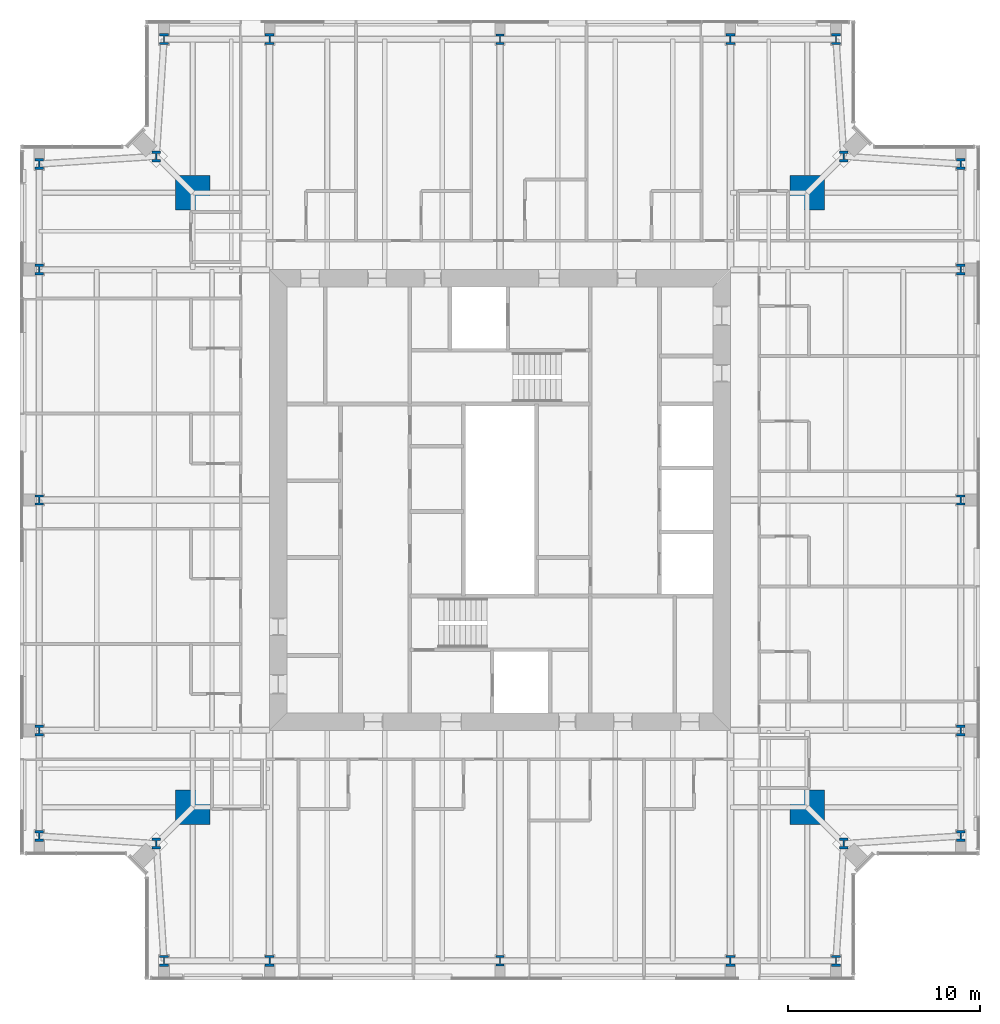
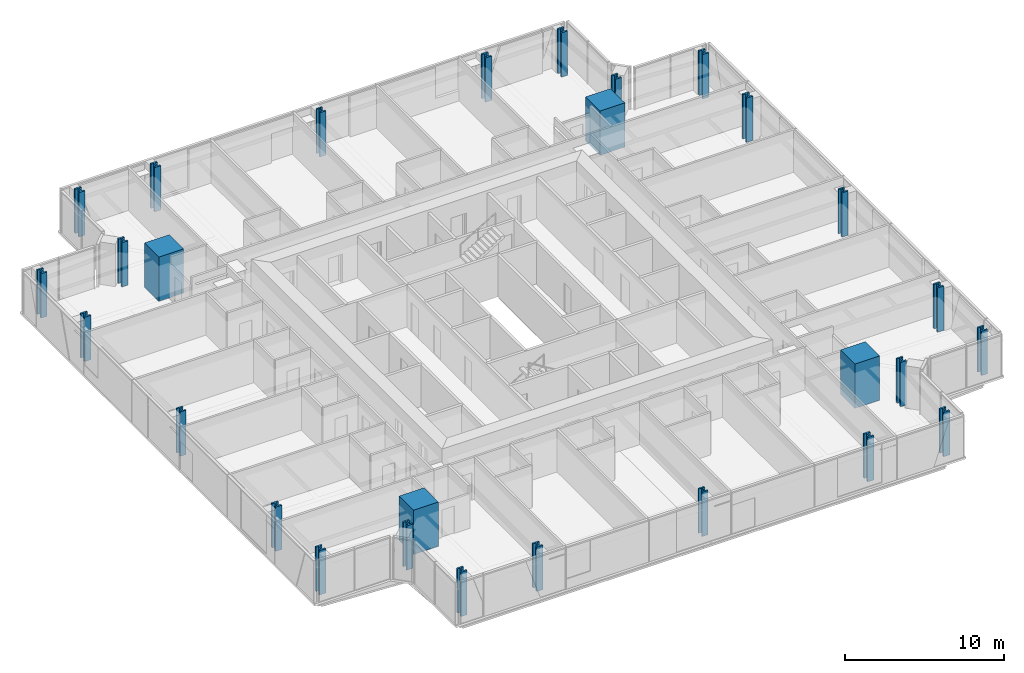
# One storey, part 1 of 20: 28 columns.
"""IFC4 building model written with IfcOpenShell, lengths in metres."""

from ifc_helpers import new_model, si_unit, direction, frame, origin, origin_2d, place, context, subcontext, project, spatial, rectangle, i_section, extrude, material, material_profile, profile_set, type_object, element, save


model = new_model("IFC4")

# Units and contexts
model_context = context("Model", 3, precision=1e-05, world=origin(), true_north=direction((0.0, 1.0)))
body_context = subcontext(model_context, "Body", "Model", "MODEL_VIEW")
ifc_project = project(units=[si_unit("LENGTHUNIT", "METRE"), si_unit("AREAUNIT", "SQUARE_METRE"), si_unit("VOLUMEUNIT", "CUBIC_METRE"), si_unit("PLANEANGLEUNIT", "RADIAN"), si_unit("MASSUNIT", "GRAM", prefix="KILO")], contexts=[model_context])

# Site, building, storey
site_placement = place(None, origin())
site = spatial("IfcSite", under=ifc_project, at=site_placement, CompositionType="ELEMENT")
building_placement = place(site_placement, origin())
building = spatial("IfcBuilding", under=site, at=building_placement, Name="Fenwick Lantern Interchange", CompositionType="ELEMENT")
storey_placement = place(building_placement, frame((0.0, 0.0, 245.800048828125)))
storey = spatial("IfcBuildingStorey", under=building, at=storey_placement, Name="L57", CompositionType="ELEMENT", Elevation=245.800048828125)

# Columns
ifc_material_1 = material(Name="Concrete f'c 70 MPa", Category="concrete")
ifc_material_profile_1 = material_profile(ifc_material_1, rectangle(XDim=1.800048828125, YDim=1.800048828125, at=origin_2d()), Name="RC1800X1800")
ifc_profile_set_1 = profile_set([ifc_material_profile_1], Name="Concrete f'c 70 MPa")
column_type_1 = type_object("IfcColumnType", Name="MEGA COLUMN RC1800X1800", PredefinedType="COLUMN", material=ifc_profile_set_1)
for number, where, z_axis, x_axis, name in (
    (1, (9.0, 9.0, 0.0), (0.0, 0.0, 1.0), (1.0, 0.0, 0.0), "L57/M1"),
    (2, (41.0, 9.0, 0.0), (0.0, 0.0, 1.0), (1.0, 0.0, 0.0), "L57/M2"),
    (3, (41.0, 41.0, 0.0), (0.0, 0.0, 1.0), (1.0, 0.0, 0.0), "L57/M3"),
    (4, (9.0, 41.0, 0.0), (0.0, 0.0, 1.0), (1.0, 0.0, 0.0), "L57/M4"),
):
    element("IfcColumn", number, at=place(storey_placement, frame(where, z_axis=z_axis, x_axis=x_axis)), inside=storey, type_object=column_type_1, Name=name, PredefinedType="COLUMN", context=body_context, shape_type="SweptSolid", body=[
        extrude(rectangle(XDim=1.800048828125, YDim=1.800048828125, at=origin_2d()), origin(), (0.0, 0.0, 1.0), 3.39990234375),
    ])
ifc_material_2 = material(Name="Steel ASTM A992 Grade 50", Category="steel")
ifc_material_profile_2 = material_profile(ifc_material_2, i_section(OverallWidth=0.44189453125, OverallDepth=0.53076171875, WebThickness=0.06591796875, FlangeThickness=0.105712890625, at=origin_2d()), Name="W14X605")
ifc_profile_set_2 = profile_set([ifc_material_profile_2], Name="Steel ASTM A992 Grade 50")
column_type_2 = type_object("IfcColumnType", Name="PERIMETER COLUMN W14X605", PredefinedType="COLUMN", material=ifc_profile_set_2)
for number, where, z_axis, x_axis, name in (
    (5, (25.0, 1.0, 0.0), (0.0, 0.0, 1.0), (1.0, 0.0, 0.0), "L57/CS3"),
    (6, (49.0, 25.0, 0.0), (0.0, 0.0, 1.0), (1.0, 0.0, 0.0), "L57/CE3"),
    (7, (25.0, 49.0, 0.0), (0.0, 0.0, 1.0), (1.0, 0.0, 0.0), "L57/CN3"),
    (8, (1.0, 25.0, 0.0), (0.0, 0.0, 1.0), (1.0, 0.0, 0.0), "L57/CW3"),
):
    element("IfcColumn", number, at=place(storey_placement, frame(where, z_axis=z_axis, x_axis=x_axis)), inside=storey, type_object=column_type_2, Name=name, PredefinedType="COLUMN", context=body_context, shape_type="SweptSolid", body=[
        extrude(i_section(OverallWidth=0.44189453125, OverallDepth=0.53076171875, WebThickness=0.06591796875, FlangeThickness=0.105712890625, at=origin_2d()), origin(), (0.0, 0.0, 1.0), 3.39990234375),
    ])
ifc_material_profile_3 = material_profile(ifc_material_2, i_section(OverallWidth=0.45458984375, OverallDepth=0.56884765625, WebThickness=0.077880859375, FlangeThickness=0.124755859375, at=origin_2d()), Name="W14X730")
ifc_profile_set_3 = profile_set([ifc_material_profile_3], Name="Steel ASTM A992 Grade 50")
column_type_3 = type_object("IfcColumnType", Name="PERIMETER COLUMN W14X730", PredefinedType="COLUMN", material=ifc_profile_set_3)
for number, where, z_axis, x_axis, name in (
    (9, (7.5, 1.0, 0.0), (0.0, 0.0, 1.0), (1.0, 0.0, 0.0), "L57/CS1"),
    (10, (13.0, 1.0, 0.0), (0.0, 0.0, 1.0), (1.0, 0.0, 0.0), "L57/CS2"),
    (11, (37.0, 1.0, 0.0), (0.0, 0.0, 1.0), (1.0, 0.0, 0.0), "L57/CS4"),
    (12, (42.5, 1.0, 0.0), (0.0, 0.0, 1.0), (1.0, 0.0, 0.0), "L57/CS5"),
    (13, (42.89990234375, 7.10009765625, 0.0), (0.0, 0.0, 1.0), (1.0, 0.0, 0.0), "L57/CSR"),
    (14, (49.0, 7.5, 0.0), (0.0, 0.0, 1.0), (1.0, 0.0, 0.0), "L57/CE1"),
    (15, (49.0, 13.0, 0.0), (0.0, 0.0, 1.0), (1.0, 0.0, 0.0), "L57/CE2"),
    (16, (49.0, 37.0, 0.0), (0.0, 0.0, 1.0), (1.0, 0.0, 0.0), "L57/CE4"),
    (17, (49.0, 42.5, 0.0), (0.0, 0.0, 1.0), (1.0, 0.0, 0.0), "L57/CE5"),
    (18, (42.89990234375, 42.89990234375, 0.0), (0.0, 0.0, 1.0), (1.0, 0.0, 0.0), "L57/CER"),
    (19, (42.5, 49.0, 0.0), (0.0, 0.0, 1.0), (1.0, 0.0, 0.0), "L57/CN1"),
    (20, (37.0, 49.0, 0.0), (0.0, 0.0, 1.0), (1.0, 0.0, 0.0), "L57/CN2"),
    (21, (13.0, 49.0, 0.0), (0.0, 0.0, 1.0), (1.0, 0.0, 0.0), "L57/CN4"),
    (22, (7.5, 49.0, 0.0), (0.0, 0.0, 1.0), (1.0, 0.0, 0.0), "L57/CN5"),
    (23, (7.10009765625, 42.89990234375, 0.0), (0.0, 0.0, 1.0), (1.0, 0.0, 0.0), "L57/CNR"),
    (24, (1.0, 42.5, 0.0), (0.0, 0.0, 1.0), (1.0, 0.0, 0.0), "L57/CW1"),
    (25, (1.0, 37.0, 0.0), (0.0, 0.0, 1.0), (1.0, 0.0, 0.0), "L57/CW2"),
    (26, (1.0, 13.0, 0.0), (0.0, 0.0, 1.0), (1.0, 0.0, 0.0), "L57/CW4"),
    (27, (1.0, 7.5, 0.0), (0.0, 0.0, 1.0), (1.0, 0.0, 0.0), "L57/CW5"),
    (28, (7.10009765625, 7.10009765625, 0.0), (0.0, 0.0, 1.0), (1.0, 0.0, 0.0), "L57/CWR"),
):
    element("IfcColumn", number, at=place(storey_placement, frame(where, z_axis=z_axis, x_axis=x_axis)), inside=storey, type_object=column_type_3, Name=name, PredefinedType="COLUMN", context=body_context, shape_type="SweptSolid", body=[
        extrude(i_section(OverallWidth=0.45458984375, OverallDepth=0.56884765625, WebThickness=0.077880859375, FlangeThickness=0.124755859375, at=origin_2d()), origin(), (0.0, 0.0, 1.0), 3.39990234375),
    ])

save(model, "model.ifc")
